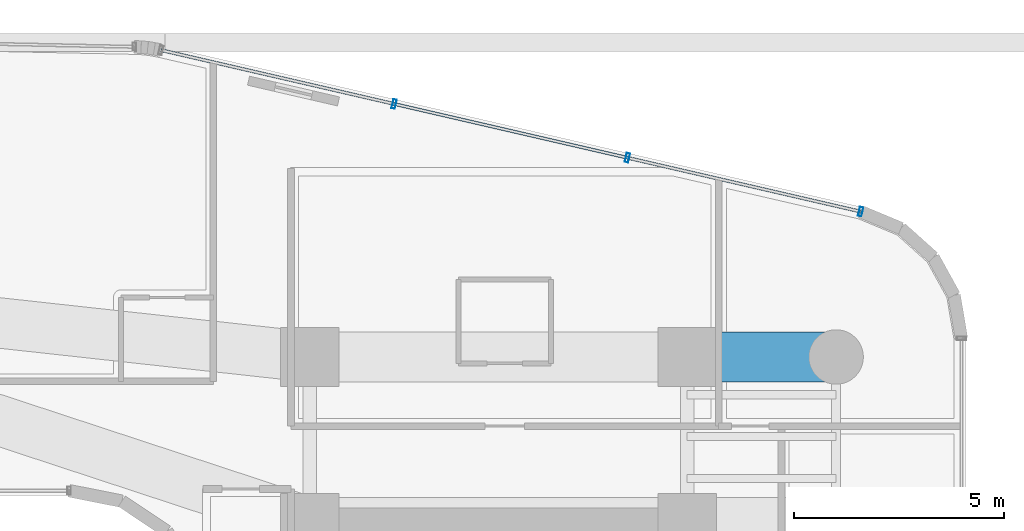
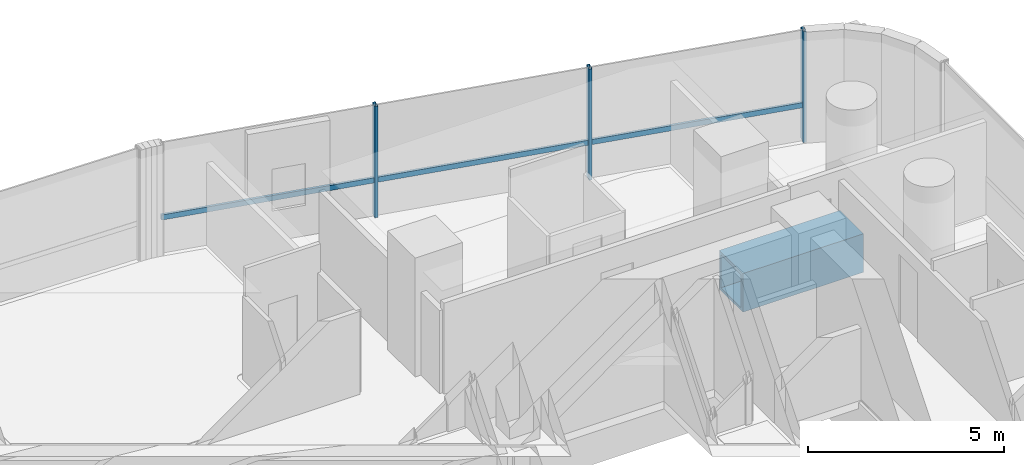
# One storey, part 29 of 50: 4 members, 1 beam, 1 element without a shape of its own.
"""IFC4 building model written with IfcOpenShell, lengths in metres."""

from ifc_helpers import new_model, si_unit, direction, frame, origin, origin_2d, place, context, subcontext, project, spatial, hollow_rectangle, extrude, source, transform, mapped, material, material_profile, profile_set, type_object, element, aggregate, save


model = new_model("IFC4")

# Units and contexts
model_context = context("Model", 3, precision=1e-05, world=origin(), true_north=direction((0.0, 1.0)))
body_context = subcontext(model_context, "Body", "Model", "MODEL_VIEW")
ifc_project = project(units=[si_unit("LENGTHUNIT", "METRE"), si_unit("AREAUNIT", "SQUARE_METRE"), si_unit("VOLUMEUNIT", "CUBIC_METRE"), si_unit("PLANEANGLEUNIT", "RADIAN"), si_unit("MASSUNIT", "GRAM", prefix="KILO")], contexts=[model_context])

# Site, building, storey
site_placement = place(None, origin())
site = spatial("IfcSite", under=ifc_project, at=site_placement, CompositionType="ELEMENT")
building_placement = place(site_placement, origin())
building = spatial("IfcBuilding", under=site, at=building_placement, Name="Valdorenza Pilgrim Sanctuary Tower", CompositionType="ELEMENT")
storey_placement = place(building_placement, frame((0.0, 0.0, 26.0)))
storey = spatial("IfcBuildingStorey", under=building, at=storey_placement, Name="L05", CompositionType="ELEMENT", Elevation=26.0)

# Beam
ifc_material_1 = material(Name="Steel ASTM A572 Grade 42", Category="steel")
ifc_material_profile_1 = material_profile(ifc_material_1, hollow_rectangle(XDim=1.199951171875, YDim=1.199951171875, WallThickness=0.090087890625, at=origin_2d()), Name="BOX 1200x1200x90")
ifc_profile_set_1 = profile_set([ifc_material_profile_1], Name="Steel ASTM A572 Grade 42")
beam_type = type_object("IfcBeamType", Name="STR-BM-TRF-1200", PredefinedType="BEAM", material=ifc_profile_set_1)
shared_shape_1 = source(origin(), body_context, "Body", "SweptSolid", [
    extrude(hollow_rectangle(XDim=1.199951171875, YDim=1.199951171875, WallThickness=0.090087890625, at=origin_2d()), origin(), (0.0, 0.0, 1.0), 3.5498046875),
])
beam_placement = place(storey_placement, frame((24.85009765625, 13.5, -0.840087890625), z_axis=(1.0, 0.0, 0.0), x_axis=(0.0, 1.0, 0.0)))
element("IfcBeam", 1, at=beam_placement, inside=storey, type_object=beam_type, Name="L05 Transfer Girder WB-XE-N2", PredefinedType="BEAM", context=body_context, shape_type="MappedRepresentation", body=[
    mapped(shared_shape_1, transform((0.0, 0.0, 0.0), x_axis=(1.0, 0.0, 0.0), y_axis=(0.0, 1.0, 0.0), z_axis=(0.0, 0.0, 1.0), scale=1.0)),
])

# Curtain wall, members
ifc_material_2 = material(Name="Curtain-wall IGU glazing", Category="glass")
curtain_wall_type = type_object("IfcCurtainWallType", Name="CW-SYS-03", PredefinedType="NOTDEFINED", material=ifc_material_2)
curtain_wall_placement = place(storey_placement, origin())
curtain_wall = element("IfcCurtainWall", 2, at=curtain_wall_placement, inside=storey, type_object=curtain_wall_type, Name="L05 Curtain Wall CW-L05-1-16", PredefinedType="NOTDEFINED")
ifc_material_3 = material(Name="Anodised aluminium AW-6060", Category="aluminium")
ifc_material_profile_2 = material_profile(ifc_material_3, hollow_rectangle(XDim=0.0849609375, YDim=0.219970703125, WallThickness=0.0048828125, at=origin_2d()), Name="ALU-M 220x85x5")
ifc_profile_set_2 = profile_set([ifc_material_profile_2], Name="Anodised aluminium AW-6060")
member_type_1 = type_object("IfcMemberType", Name="CW-MUL-03", PredefinedType="MULLION", material=ifc_profile_set_2)
shared_shape_2 = source(origin(), body_context, "Body", "SweptSolid", [
    extrude(hollow_rectangle(XDim=0.0849609375, YDim=0.219970703125, WallThickness=0.0048828125, at=origin_2d()), origin(), (0.0, 0.0, 1.0), 3.4599609375),
])
member_1_placement = place(storey_placement, frame((17.861328125, 19.534423828125, 0.0), z_axis=(0.0, 0.0, 1.0), x_axis=(0.974389691758, -0.224866023659, 0.0)))
member_1 = element("IfcMember", 3, at=member_1_placement, type_object=member_type_1, Name="CW-L05-1-16 Mullion 2", PredefinedType="MULLION", context=body_context, shape_type="MappedRepresentation", body=[
    mapped(shared_shape_2, transform((0.0, 0.0, 0.0), x_axis=(1.0, 0.0, 0.0), y_axis=(0.0, 1.0, 0.0), z_axis=(0.0, 0.0, 1.0), scale=1.0)),
])
member_2_placement = place(storey_placement, frame((23.423583984375, 18.2509765625, 0.0), z_axis=(0.0, 0.0, 1.0), x_axis=(0.974389691758, -0.224866023659, 0.0)))
member_2 = element("IfcMember", 4, at=member_2_placement, type_object=member_type_1, Name="CW-L05-1-16 Mullion 3", PredefinedType="MULLION", context=body_context, shape_type="MappedRepresentation", body=[
    mapped(shared_shape_2, transform((0.0, 0.0, 0.0), x_axis=(1.0, 0.0, 0.0), y_axis=(0.0, 1.0, 0.0), z_axis=(0.0, 0.0, 1.0), scale=1.0)),
])
member_3_placement = place(storey_placement, frame((28.98583984375, 16.96728515625, 0.0), z_axis=(0.0, 0.0, 1.0), x_axis=(0.974389691758, -0.224866023659, 0.0)))
member_3 = element("IfcMember", 5, at=member_3_placement, type_object=member_type_1, Name="CW-L05-1-16 Mullion 4", PredefinedType="MULLION", context=body_context, shape_type="MappedRepresentation", body=[
    mapped(shared_shape_2, transform((0.0, 0.0, 0.0), x_axis=(1.0, 0.0, 0.0), y_axis=(0.0, 1.0, 0.0), z_axis=(0.0, 0.0, 1.0), scale=1.0)),
])
ifc_material_profile_3 = material_profile(ifc_material_3, hollow_rectangle(XDim=0.074951171875, YDim=0.159912109375, WallThickness=0.00390625, at=origin_2d()), Name="ALU-T 160x75x4")
ifc_profile_set_3 = profile_set([ifc_material_profile_3], Name="Anodised aluminium AW-6060")
member_type_2 = type_object("IfcMemberType", Name="CW-TRN-03", PredefinedType="USERDEFINED", material=ifc_profile_set_3)
shared_shape_3 = source(origin(), body_context, "Body", "SweptSolid", [
    extrude(hollow_rectangle(XDim=0.074951171875, YDim=0.159912109375, WallThickness=0.00390625, at=origin_2d()), origin(), (0.0, 0.0, 1.0), 17.125244140625),
])
member_4_placement = place(storey_placement, frame((12.299072265625, 20.818115234375, 1.1201171875), z_axis=(0.974390715149, -0.224861589051, 0.0), x_axis=(0.224861589051, 0.974390715149, 0.0)))
member_4 = element("IfcMember", 6, at=member_4_placement, type_object=member_type_2, Name="CW-L05-1-16 Transom 1", ObjectType="TRANSOM", PredefinedType="USERDEFINED", context=body_context, shape_type="MappedRepresentation", body=[
    mapped(shared_shape_3, transform((0.0, 0.0, 0.0), x_axis=(1.0, 0.0, 0.0), y_axis=(0.0, 1.0, 0.0), z_axis=(0.0, 0.0, 1.0), scale=1.0)),
])
aggregate(curtain_wall, [member_1, member_2, member_3, member_4])

save(model, "model.ifc")
